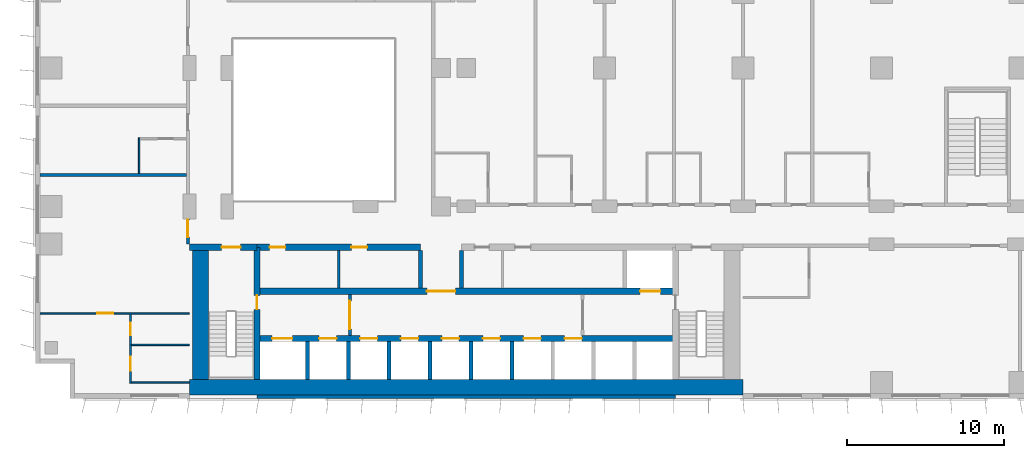
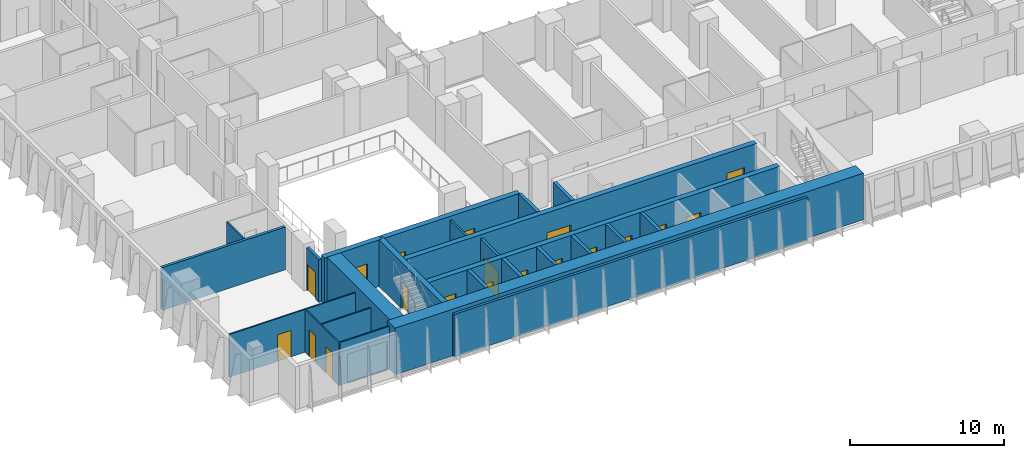
# One storey, part 12 of 24: 25 walls, 19 doors, 19 openings.
"""IFC4 building model written with IfcOpenShell, lengths in metres."""

from ifc_helpers import new_model, si_unit, direction, frame, frame_2d, origin, place, context, subcontext, project, spatial, rectangle, extrude, material, layer, layer_set, type_object, element, fill, save


model = new_model("IFC4")

# Units and contexts
model_context = context("Model", 3, precision=1e-05, world=origin(), true_north=direction((0.0, 1.0)))
body_context = subcontext(model_context, "Body", "Model", "MODEL_VIEW")
ifc_project = project(units=[si_unit("LENGTHUNIT", "METRE"), si_unit("AREAUNIT", "SQUARE_METRE"), si_unit("VOLUMEUNIT", "CUBIC_METRE"), si_unit("PLANEANGLEUNIT", "RADIAN"), si_unit("MASSUNIT", "GRAM", prefix="KILO")], contexts=[model_context])

# Site, building, storey
site_placement = place(None, origin())
site = spatial("IfcSite", under=ifc_project, at=site_placement, CompositionType="ELEMENT")
building_placement = place(site_placement, origin())
building = spatial("IfcBuilding", under=site, at=building_placement, Name="Kemantara Hotel Tower", CompositionType="ELEMENT")
storey_placement = place(building_placement, frame((0.0, 0.0, 63.60009765625)))
storey = spatial("IfcBuildingStorey", under=building, at=storey_placement, Name="L14", CompositionType="ELEMENT", Elevation=63.60009765625)

# Walls
ifc_material_1 = material(Name="Bronze anodised aluminium cladding on insulated steel stud wall", Category="steel")
ifc_layer_1 = layer(ifc_material_1, 0.199951171875)
ifc_layer_set_1 = layer_set([ifc_layer_1], Name="Bronze anodised aluminium cladding on insulated steel stud wall")
wall_type_1 = type_object("IfcWallType", Name="BRONZE METAL-CLAD EXTERNAL WALL 200", PredefinedType="STANDARD", material=ifc_layer_set_1)
wall_1_placement = place(storey_placement, frame((14.10009765625, 0.10009765625, 0.0), z_axis=(0.0, 0.0, 1.0), x_axis=(1.0, 0.0, 0.0)))
element("IfcWall", 1, at=wall_1_placement, inside=storey, type_object=wall_type_1, Name="EXTERNAL WALL L14 T1-R01-2", PredefinedType="STANDARD", context=body_context, shape_type="SweptSolid", body=[
    extrude(rectangle(XDim=26.599853515625, YDim=0.199951171875, at=frame_2d((13.2998046875, 0.0))), origin(), (0.0, 0.0, 1.0), 3.39990234375),
])
ifc_material_2 = material(Name="Concrete fc 70 MPa", Category="concrete")
ifc_layer_2 = layer(ifc_material_2, 1.0)
ifc_layer_set_2 = layer_set([ifc_layer_2], Name="Concrete fc 70 MPa")
wall_type_2 = type_object("IfcWallType", Name="CORE WALL 1000 FC70", PredefinedType="SHEAR", material=ifc_layer_set_2)
wall_2_placement = place(storey_placement, frame((9.800048828125, 0.699951171875, 0.0), z_axis=(0.0, 0.0, 1.0), x_axis=(1.0, 0.0, 0.0)))
element("IfcWall", 2, at=wall_2_placement, inside=storey, type_object=wall_type_2, Name="CORE WALL CW-S", PredefinedType="SHEAR", context=body_context, shape_type="SweptSolid", body=[
    extrude(rectangle(XDim=35.199951171875, YDim=1.0, at=frame_2d((17.60009765625, 0.0))), origin(), (0.0, 0.0, 1.0), 3.699951171875),
])
wall_3_placement = place(storey_placement, frame((10.5, 1.199951171875, 0.0), z_axis=(0.0, 0.0, 1.0), x_axis=(0.0, 1.0, 0.0)))
element("IfcWall", 3, at=wall_3_placement, inside=storey, type_object=wall_type_2, Name="CORE WALL CW-W", PredefinedType="SHEAR", context=body_context, shape_type="SweptSolid", body=[
    extrude(rectangle(XDim=8.60009765625, YDim=1.0, at=frame_2d((4.300048828125, 0.0))), origin(), (0.0, 0.0, 1.0), 3.699951171875),
])
ifc_layer_3 = layer(ifc_material_2, 0.25)
ifc_layer_set_3 = layer_set([ifc_layer_3], Name="Concrete fc 70 MPa")
wall_type_3 = type_object("IfcWallType", Name="CORE WALL 250 FC70", PredefinedType="SHEAR", material=ifc_layer_set_3)
for number, where, z_axis, x_axis, name in (
    (4, (17.300048828125, 1.199951171875, 0.0), (0.0, 0.0, 1.0), (0.0, 1.0, 0.0), "CORE WALL CW-DS17.3"),
    (5, (19.89990234375, 1.199951171875, 0.0), (0.0, 0.0, 1.0), (0.0, 1.0, 0.0), "CORE WALL CW-DS19.9"),
    (6, (22.5, 1.199951171875, 0.0), (0.0, 0.0, 1.0), (0.0, 1.0, 0.0), "CORE WALL CW-DS22.5"),
    (7, (25.10009765625, 1.199951171875, 0.0), (0.0, 0.0, 1.0), (0.0, 1.0, 0.0), "CORE WALL CW-DS25.1"),
    (8, (27.699951171875, 1.199951171875, 0.0), (0.0, 0.0, 1.0), (0.0, 1.0, 0.0), "CORE WALL CW-DS27.7"),
    (9, (30.300048828125, 1.199951171875, 0.0), (0.0, 0.0, 1.0), (0.0, 1.0, 0.0), "CORE WALL CW-DS30.3"),
):
    element("IfcWall", number, at=place(storey_placement, frame(where, z_axis=z_axis, x_axis=x_axis)), inside=storey, type_object=wall_type_3, Name=name, PredefinedType="SHEAR", context=body_context, shape_type="SweptSolid", body=[
        extrude(rectangle(XDim=2.400146484375, YDim=0.25, at=frame_2d((1.2001953125, 0.0))), origin(), (0.0, 0.0, 1.0), 3.699951171875),
    ])
for number, where, z_axis, x_axis, name in (
    (10, (24.5, 7.0, 0.0), (0.0, 0.0, 1.0), (0.0, 1.0, 0.0), "CORE WALL CW-DN24.5"),
    (11, (27.10009765625, 7.0, 0.0), (0.0, 0.0, 1.0), (0.0, 1.0, 0.0), "CORE WALL CW-DN27.1"),
):
    element("IfcWall", number, at=place(storey_placement, frame(where, z_axis=z_axis, x_axis=x_axis)), inside=storey, type_object=wall_type_3, Name=name, PredefinedType="SHEAR", context=body_context, shape_type="SweptSolid", body=[
        extrude(rectangle(XDim=2.39990234375, YDim=0.25, at=frame_2d((1.199951171875, 0.0))), origin(), (0.0, 0.0, 1.0), 3.699951171875),
    ])

# Wall, opening, door
ifc_layer_4 = layer(ifc_material_2, 0.39990234375)
ifc_layer_set_4 = layer_set([ifc_layer_4], Name="Concrete fc 70 MPa")
wall_type_4 = type_object("IfcWallType", Name="CORE WALL 400 FC70", PredefinedType="SHEAR", material=ifc_layer_set_4)
wall_4_placement = place(storey_placement, frame((9.800048828125, 9.60009765625, 0.0), z_axis=(0.0, 0.0, 1.0), x_axis=(1.0, 0.0, 0.0)))
wall_4 = element("IfcWall", 12, at=wall_4_placement, inside=storey, type_object=wall_type_4, Name="CORE WALL CW-N1", PredefinedType="SHEAR", context=body_context, shape_type="SweptSolid", body=[
    extrude(rectangle(XDim=4.300048828125, YDim=0.39990234375, at=frame_2d((2.14990234375, 0.0))), origin(), (0.0, 0.0, 1.0), 3.699951171875),
])
opening_1_placement = place(wall_4_placement, frame((2.050048828125, 0.0, 0.0)))
opening_1 = element("IfcOpeningElement", 13, at=opening_1_placement, cuts=wall_4, Name="Opening C10-ST1-C", PredefinedType="OPENING", context=body_context, shape_type="SweptSolid", body=[
    extrude(rectangle(XDim=1.199951171875, YDim=2.10009765625, at=frame_2d((0.60009765625, 1.050048828125))), frame((0.0, 0.2099609375, 0.0), z_axis=(0.0, -1.0, 0.0), x_axis=(1.0, 0.0, 0.0)), (0.0, 0.0, 1.0), 0.419921875),
])
ifc_material_3 = material(Name="Steel fire door", Category="steel")
door_type_1 = type_object("IfcDoorType", Name="Fire door FD90 1200 x 2100", OperationType="NOTDEFINED", PredefinedType="DOOR", material=ifc_material_3)
door_1_placement = place(opening_1_placement, frame((1.199951171875, 0.0, 0.0), z_axis=(0.0, 0.0, 1.0), x_axis=(-1.0, 0.0, 0.0)))
door_1 = element("IfcDoor", 14, at=door_1_placement, inside=storey, type_object=door_type_1, Name="Stair ST1 door to corridor", OperationType="SINGLE_SWING_LEFT", OverallHeight=2.10009765625, OverallWidth=1.199951171875, PredefinedType="DOOR", context=body_context, shape_type="SweptSolid", body=[
    extrude(rectangle(XDim=1.199951171875, YDim=2.10009765625, at=frame_2d((0.60009765625, 1.050048828125))), frame((0.0, 0.02490234375, 0.0), z_axis=(0.0, -1.0, 0.0), x_axis=(1.0, 0.0, 0.0)), (0.0, 0.0, 1.0), 0.050048828125),
])
fill(opening_1, door_1)

# Wall, openings, doors
wall_5_placement = place(storey_placement, frame((14.10009765625, 9.60009765625, 0.0), z_axis=(0.0, 0.0, 1.0), x_axis=(1.0, 0.0, 0.0)))
wall_5 = element("IfcWall", 15, at=wall_5_placement, inside=storey, type_object=wall_type_4, Name="CORE WALL CW-NN1", PredefinedType="SHEAR", context=body_context, shape_type="SweptSolid", body=[
    extrude(rectangle(XDim=10.39990234375, YDim=0.39990234375, at=frame_2d((5.199951171875, 0.0))), origin(), (0.0, 0.0, 1.0), 3.699951171875),
])
opening_2_placement = place(wall_5_placement, frame((0.800048828125, 0.0, 0.0)))
opening_2 = element("IfcOpeningElement", 16, at=opening_2_placement, cuts=wall_5, Name="Opening C10-R-NW1", PredefinedType="OPENING", context=body_context, shape_type="SweptSolid", body=[
    extrude(rectangle(XDim=1.0, YDim=2.10009765625, at=frame_2d((0.5, 1.050048828125))), frame((0.0, 0.2099609375, 0.0), z_axis=(0.0, -1.0, 0.0), x_axis=(1.0, 0.0, 0.0)), (0.0, 0.0, 1.0), 0.419921875),
])
opening_3_placement = place(wall_5_placement, frame((6.0, 0.0, 0.0)))
opening_3 = element("IfcOpeningElement", 17, at=opening_3_placement, cuts=wall_5, Name="Opening C10-R-NW2", PredefinedType="OPENING", context=body_context, shape_type="SweptSolid", body=[
    extrude(rectangle(XDim=1.0, YDim=2.10009765625, at=frame_2d((0.5, 1.050048828125))), frame((0.0, 0.2099609375, 0.0), z_axis=(0.0, -1.0, 0.0), x_axis=(1.0, 0.0, 0.0)), (0.0, 0.0, 1.0), 0.419921875),
])
door_type_2 = type_object("IfcDoorType", Name="Fire door FD30S 1000 x 2100", OperationType="NOTDEFINED", PredefinedType="DOOR", material=ifc_material_3)
door_2_placement = place(opening_2_placement, frame((1.0, 0.0, 0.0), z_axis=(0.0, 0.0, 1.0), x_axis=(-1.0, 0.0, 0.0)))
door_2 = element("IfcDoor", 18, at=door_2_placement, inside=storey, type_object=door_type_2, Name="Linen Store door", OperationType="SINGLE_SWING_RIGHT", OverallHeight=2.10009765625, OverallWidth=1.0, PredefinedType="DOOR", context=body_context, shape_type="SweptSolid", body=[
    extrude(rectangle(XDim=1.0, YDim=2.10009765625, at=frame_2d((0.5, 1.050048828125))), frame((0.0, 0.02490234375, 0.0), z_axis=(0.0, -1.0, 0.0), x_axis=(1.0, 0.0, 0.0)), (0.0, 0.0, 1.0), 0.050048828125),
])
fill(opening_2, door_2)
door_3_placement = place(opening_3_placement, frame((1.0, 0.0, 0.0), z_axis=(0.0, 0.0, 1.0), x_axis=(-1.0, 0.0, 0.0)))
door_3 = element("IfcDoor", 19, at=door_3_placement, inside=storey, type_object=door_type_2, Name="Ice And Vending Room door", OperationType="SINGLE_SWING_LEFT", OverallHeight=2.10009765625, OverallWidth=1.0, PredefinedType="DOOR", context=body_context, shape_type="SweptSolid", body=[
    extrude(rectangle(XDim=1.0, YDim=2.10009765625, at=frame_2d((0.5, 1.050048828125))), frame((0.0, 0.02490234375, 0.0), z_axis=(0.0, -1.0, 0.0), x_axis=(1.0, 0.0, 0.0)), (0.0, 0.0, 1.0), 0.050048828125),
])
fill(opening_3, door_3)

wall_6_placement = place(storey_placement, frame((14.10009765625, 3.800048828125, 0.0), z_axis=(0.0, 0.0, 1.0), x_axis=(1.0, 0.0, 0.0)))
wall_6 = element("IfcWall", 20, at=wall_6_placement, inside=storey, type_object=wall_type_4, Name="CORE WALL CW-L1", PredefinedType="SHEAR", context=body_context, shape_type="SweptSolid", body=[
    extrude(rectangle(XDim=26.599853515625, YDim=0.39990234375, at=frame_2d((13.2998046875, 0.0))), origin(), (0.0, 0.0, 1.0), 3.699951171875),
])
opening_4_placement = place(wall_6_placement, frame((0.949951171875, 0.0, 0.0)))
opening_4 = element("IfcOpeningElement", 21, at=opening_4_placement, cuts=wall_6, Name="Opening C10-LD-FF1", PredefinedType="OPENING", context=body_context, shape_type="SweptSolid", body=[
    extrude(rectangle(XDim=1.300048828125, YDim=2.10009765625, at=frame_2d((0.64990234375, 1.050048828125))), frame((0.0, 0.2099609375, 0.0), z_axis=(0.0, -1.0, 0.0), x_axis=(1.0, 0.0, 0.0)), (0.0, 0.0, 1.0), 0.419921875),
])
opening_5_placement = place(wall_6_placement, frame((3.949951171875, 0.0, 0.0)))
opening_5 = element("IfcOpeningElement", 22, at=opening_5_placement, cuts=wall_6, Name="Opening C10-LD-SV1", PredefinedType="OPENING", context=body_context, shape_type="SweptSolid", body=[
    extrude(rectangle(XDim=1.10009765625, YDim=2.10009765625, at=frame_2d((0.550048828125, 1.050048828125))), frame((0.0, 0.2099609375, 0.0), z_axis=(0.0, -1.0, 0.0), x_axis=(1.0, 0.0, 0.0)), (0.0, 0.0, 1.0), 0.419921875),
])
opening_6_placement = place(wall_6_placement, frame((6.550048828125, 0.0, 0.0)))
opening_6 = element("IfcOpeningElement", 23, at=opening_6_placement, cuts=wall_6, Name="Opening C10-LD-SV2", PredefinedType="OPENING", context=body_context, shape_type="SweptSolid", body=[
    extrude(rectangle(XDim=1.10009765625, YDim=2.10009765625, at=frame_2d((0.550048828125, 1.050048828125))), frame((0.0, 0.2099609375, 0.0), z_axis=(0.0, -1.0, 0.0), x_axis=(1.0, 0.0, 0.0)), (0.0, 0.0, 1.0), 0.419921875),
])
opening_7_placement = place(wall_6_placement, frame((9.14990234375, 0.0, 0.0)))
opening_7 = element("IfcOpeningElement", 24, at=opening_7_placement, cuts=wall_6, Name="Opening C10-LD-SV3", PredefinedType="OPENING", context=body_context, shape_type="SweptSolid", body=[
    extrude(rectangle(XDim=1.10009765625, YDim=2.10009765625, at=frame_2d((0.550048828125, 1.050048828125))), frame((0.0, 0.2099609375, 0.0), z_axis=(0.0, -1.0, 0.0), x_axis=(1.0, 0.0, 0.0)), (0.0, 0.0, 1.0), 0.419921875),
])
opening_8_placement = place(wall_6_placement, frame((11.75, 0.0, 0.0)))
opening_8 = element("IfcOpeningElement", 25, at=opening_8_placement, cuts=wall_6, Name="Opening C10-LD-LR1", PredefinedType="OPENING", context=body_context, shape_type="SweptSolid", body=[
    extrude(rectangle(XDim=1.10009765625, YDim=2.10009765625, at=frame_2d((0.550048828125, 1.050048828125))), frame((0.0, 0.2099609375, 0.0), z_axis=(0.0, -1.0, 0.0), x_axis=(1.0, 0.0, 0.0)), (0.0, 0.0, 1.0), 0.419921875),
])
opening_9_placement = place(wall_6_placement, frame((14.35009765625, 0.0, 0.0)))
opening_9 = element("IfcOpeningElement", 26, at=opening_9_placement, cuts=wall_6, Name="Opening C10-LD-LR2", PredefinedType="OPENING", context=body_context, shape_type="SweptSolid", body=[
    extrude(rectangle(XDim=1.10009765625, YDim=2.10009765625, at=frame_2d((0.550048828125, 1.050048828125))), frame((0.0, 0.2099609375, 0.0), z_axis=(0.0, -1.0, 0.0), x_axis=(1.0, 0.0, 0.0)), (0.0, 0.0, 1.0), 0.419921875),
])
opening_10_placement = place(wall_6_placement, frame((16.949951171875, 0.0, 0.0)))
opening_10 = element("IfcOpeningElement", 27, at=opening_10_placement, cuts=wall_6, Name="Opening C10-LD-LR3", PredefinedType="OPENING", context=body_context, shape_type="SweptSolid", body=[
    extrude(rectangle(XDim=1.10009765625, YDim=2.10009765625, at=frame_2d((0.550048828125, 1.050048828125))), frame((0.0, 0.2099609375, 0.0), z_axis=(0.0, -1.0, 0.0), x_axis=(1.0, 0.0, 0.0)), (0.0, 0.0, 1.0), 0.419921875),
])
opening_11_placement = place(wall_6_placement, frame((19.550048828125, 0.0, 0.0)))
opening_11 = element("IfcOpeningElement", 28, at=opening_11_placement, cuts=wall_6, Name="Opening C10-LD-LR4", PredefinedType="OPENING", context=body_context, shape_type="SweptSolid", body=[
    extrude(rectangle(XDim=1.10009765625, YDim=2.10009765625, at=frame_2d((0.550048828125, 1.050048828125))), frame((0.0, 0.2099609375, 0.0), z_axis=(0.0, -1.0, 0.0), x_axis=(1.0, 0.0, 0.0)), (0.0, 0.0, 1.0), 0.419921875),
])
ifc_material_4 = material(Name="Stainless steel lift door", Category="steel")
door_type_3 = type_object("IfcDoorType", Name="Lift landing door 1100 x 2100 FD60", OperationType="DOUBLE_DOOR_SLIDING", PredefinedType="DOOR", material=ifc_material_4)
door_4_placement = place(opening_5_placement, origin())
door_4 = element("IfcDoor", 29, at=door_4_placement, inside=storey, type_object=door_type_3, Name="Lift SV1 landing door", OperationType="DOUBLE_DOOR_SLIDING", OverallHeight=2.10009765625, OverallWidth=1.10009765625, PredefinedType="DOOR", context=body_context, shape_type="SweptSolid", body=[
    extrude(rectangle(XDim=1.10009765625, YDim=2.10009765625, at=frame_2d((0.550048828125, 1.050048828125))), frame((0.0, 0.02490234375, 0.0), z_axis=(0.0, -1.0, 0.0), x_axis=(1.0, 0.0, 0.0)), (0.0, 0.0, 1.0), 0.050048828125),
])
fill(opening_5, door_4)
door_5_placement = place(opening_6_placement, origin())
door_5 = element("IfcDoor", 30, at=door_5_placement, inside=storey, type_object=door_type_3, Name="Lift SV2 landing door", OperationType="DOUBLE_DOOR_SLIDING", OverallHeight=2.10009765625, OverallWidth=1.10009765625, PredefinedType="DOOR", context=body_context, shape_type="SweptSolid", body=[
    extrude(rectangle(XDim=1.10009765625, YDim=2.10009765625, at=frame_2d((0.550048828125, 1.050048828125))), frame((0.0, 0.02490234375, 0.0), z_axis=(0.0, -1.0, 0.0), x_axis=(1.0, 0.0, 0.0)), (0.0, 0.0, 1.0), 0.050048828125),
])
fill(opening_6, door_5)
door_6_placement = place(opening_7_placement, origin())
door_6 = element("IfcDoor", 31, at=door_6_placement, inside=storey, type_object=door_type_3, Name="Lift SV3 landing door", OperationType="DOUBLE_DOOR_SLIDING", OverallHeight=2.10009765625, OverallWidth=1.10009765625, PredefinedType="DOOR", context=body_context, shape_type="SweptSolid", body=[
    extrude(rectangle(XDim=1.10009765625, YDim=2.10009765625, at=frame_2d((0.550048828125, 1.050048828125))), frame((0.0, 0.02490234375, 0.0), z_axis=(0.0, -1.0, 0.0), x_axis=(1.0, 0.0, 0.0)), (0.0, 0.0, 1.0), 0.050048828125),
])
fill(opening_7, door_6)
door_7_placement = place(opening_8_placement, origin())
door_7 = element("IfcDoor", 32, at=door_7_placement, inside=storey, type_object=door_type_3, Name="Lift LR1 landing door", OperationType="DOUBLE_DOOR_SLIDING", OverallHeight=2.10009765625, OverallWidth=1.10009765625, PredefinedType="DOOR", context=body_context, shape_type="SweptSolid", body=[
    extrude(rectangle(XDim=1.10009765625, YDim=2.10009765625, at=frame_2d((0.550048828125, 1.050048828125))), frame((0.0, 0.02490234375, 0.0), z_axis=(0.0, -1.0, 0.0), x_axis=(1.0, 0.0, 0.0)), (0.0, 0.0, 1.0), 0.050048828125),
])
fill(opening_8, door_7)
door_8_placement = place(opening_9_placement, origin())
door_8 = element("IfcDoor", 33, at=door_8_placement, inside=storey, type_object=door_type_3, Name="Lift LR2 landing door", OperationType="DOUBLE_DOOR_SLIDING", OverallHeight=2.10009765625, OverallWidth=1.10009765625, PredefinedType="DOOR", context=body_context, shape_type="SweptSolid", body=[
    extrude(rectangle(XDim=1.10009765625, YDim=2.10009765625, at=frame_2d((0.550048828125, 1.050048828125))), frame((0.0, 0.02490234375, 0.0), z_axis=(0.0, -1.0, 0.0), x_axis=(1.0, 0.0, 0.0)), (0.0, 0.0, 1.0), 0.050048828125),
])
fill(opening_9, door_8)
door_9_placement = place(opening_10_placement, origin())
door_9 = element("IfcDoor", 34, at=door_9_placement, inside=storey, type_object=door_type_3, Name="Lift LR3 landing door", OperationType="DOUBLE_DOOR_SLIDING", OverallHeight=2.10009765625, OverallWidth=1.10009765625, PredefinedType="DOOR", context=body_context, shape_type="SweptSolid", body=[
    extrude(rectangle(XDim=1.10009765625, YDim=2.10009765625, at=frame_2d((0.550048828125, 1.050048828125))), frame((0.0, 0.02490234375, 0.0), z_axis=(0.0, -1.0, 0.0), x_axis=(1.0, 0.0, 0.0)), (0.0, 0.0, 1.0), 0.050048828125),
])
fill(opening_10, door_9)
door_10_placement = place(opening_11_placement, origin())
door_10 = element("IfcDoor", 35, at=door_10_placement, inside=storey, type_object=door_type_3, Name="Lift LR4 landing door", OperationType="DOUBLE_DOOR_SLIDING", OverallHeight=2.10009765625, OverallWidth=1.10009765625, PredefinedType="DOOR", context=body_context, shape_type="SweptSolid", body=[
    extrude(rectangle(XDim=1.10009765625, YDim=2.10009765625, at=frame_2d((0.550048828125, 1.050048828125))), frame((0.0, 0.02490234375, 0.0), z_axis=(0.0, -1.0, 0.0), x_axis=(1.0, 0.0, 0.0)), (0.0, 0.0, 1.0), 0.050048828125),
])
fill(opening_11, door_10)
door_type_4 = type_object("IfcDoorType", Name="Lift landing door 1300 x 2100 FD90", OperationType="DOUBLE_DOOR_SLIDING", PredefinedType="DOOR", material=ifc_material_4)
door_11_placement = place(opening_4_placement, origin())
door_11 = element("IfcDoor", 36, at=door_11_placement, inside=storey, type_object=door_type_4, Name="Lift FF1 landing door", OperationType="DOUBLE_DOOR_SLIDING", OverallHeight=2.10009765625, OverallWidth=1.300048828125, PredefinedType="DOOR", context=body_context, shape_type="SweptSolid", body=[
    extrude(rectangle(XDim=1.300048828125, YDim=2.10009765625, at=frame_2d((0.64990234375, 1.050048828125))), frame((0.0, 0.02490234375, 0.0), z_axis=(0.0, -1.0, 0.0), x_axis=(1.0, 0.0, 0.0)), (0.0, 0.0, 1.0), 0.050048828125),
])
fill(opening_4, door_11)

wall_7_placement = place(storey_placement, frame((14.10009765625, 6.800048828125, 0.0), z_axis=(0.0, 0.0, 1.0), x_axis=(1.0, 0.0, 0.0)))
wall_7 = element("IfcWall", 37, at=wall_7_placement, inside=storey, type_object=wall_type_4, Name="CORE WALL CW-L2", PredefinedType="SHEAR", context=body_context, shape_type="SweptSolid", body=[
    extrude(rectangle(XDim=26.599853515625, YDim=0.39990234375, at=frame_2d((13.2998046875, 0.0))), origin(), (0.0, 0.0, 1.0), 3.699951171875),
])
opening_12_placement = place(wall_7_placement, frame((10.800048828125, 0.0, 0.0)))
opening_12 = element("IfcOpeningElement", 38, at=opening_12_placement, cuts=wall_7, Name="Opening C10-VL", PredefinedType="OPENING", context=body_context, shape_type="SweptSolid", body=[
    extrude(rectangle(XDim=1.800048828125, YDim=2.10009765625, at=frame_2d((0.89990234375, 1.050048828125))), frame((0.0, 0.2099609375, 0.0), z_axis=(0.0, -1.0, 0.0), x_axis=(1.0, 0.0, 0.0)), (0.0, 0.0, 1.0), 0.419921875),
])
opening_13_placement = place(wall_7_placement, frame((24.35009765625, 0.0, 0.0)))
opening_13 = element("IfcOpeningElement", 39, at=opening_13_placement, cuts=wall_7, Name="Opening C10-LD-FF2", PredefinedType="OPENING", context=body_context, shape_type="SweptSolid", body=[
    extrude(rectangle(XDim=1.300048828125, YDim=2.10009765625, at=frame_2d((0.64990234375, 1.050048828125))), frame((0.0, 0.2099609375, 0.0), z_axis=(0.0, -1.0, 0.0), x_axis=(1.0, 0.0, 0.0)), (0.0, 0.0, 1.0), 0.419921875),
])
door_type_5 = type_object("IfcDoorType", Name="Fire door pair FD60 1800 x 2100", OperationType="DOUBLE_DOOR_SINGLE_SWING", PredefinedType="DOOR", material=ifc_material_3)
door_12_placement = place(opening_12_placement, frame((1.800048828125, 0.0, 0.0), z_axis=(0.0, 0.0, 1.0), x_axis=(-1.0, 0.0, 0.0)))
door_12 = element("IfcDoor", 40, at=door_12_placement, inside=storey, type_object=door_type_5, Name="Lift lobby entry door", OperationType="DOUBLE_DOOR_SINGLE_SWING", OverallHeight=2.10009765625, OverallWidth=1.800048828125, PredefinedType="DOOR", context=body_context, shape_type="SweptSolid", body=[
    extrude(rectangle(XDim=1.800048828125, YDim=2.10009765625, at=frame_2d((0.89990234375, 1.050048828125))), frame((0.0, 0.02490234375, 0.0), z_axis=(0.0, -1.0, 0.0), x_axis=(1.0, 0.0, 0.0)), (0.0, 0.0, 1.0), 0.050048828125),
])
fill(opening_12, door_12)
door_13_placement = place(opening_13_placement, origin())
door_13 = element("IfcDoor", 41, at=door_13_placement, inside=storey, type_object=door_type_4, Name="Lift FF2 landing door", OperationType="DOUBLE_DOOR_SLIDING", OverallHeight=2.10009765625, OverallWidth=1.300048828125, PredefinedType="DOOR", context=body_context, shape_type="SweptSolid", body=[
    extrude(rectangle(XDim=1.300048828125, YDim=2.10009765625, at=frame_2d((0.64990234375, 1.050048828125))), frame((0.0, 0.02490234375, 0.0), z_axis=(0.0, -1.0, 0.0), x_axis=(1.0, 0.0, 0.0)), (0.0, 0.0, 1.0), 0.050048828125),
])
fill(opening_13, door_13)

# Wall, opening, door
wall_8_placement = place(storey_placement, frame((14.10009765625, 1.199951171875, 0.0), z_axis=(0.0, 0.0, 1.0), x_axis=(0.0, 1.0, 0.0)))
wall_8 = element("IfcWall", 42, at=wall_8_placement, inside=storey, type_object=wall_type_4, Name="CORE WALL CW-ST1E", PredefinedType="SHEAR", context=body_context, shape_type="SweptSolid", body=[
    extrude(rectangle(XDim=8.400146484375, YDim=0.39990234375, at=frame_2d((4.2001953125, 0.0))), origin(), (0.0, 0.0, 1.0), 3.699951171875),
])
opening_14_placement = place(wall_8_placement, frame((4.449951171875, 0.0, 0.0)))
opening_14 = element("IfcOpeningElement", 43, at=opening_14_placement, cuts=wall_8, Name="Opening C10-ST1-F", PredefinedType="OPENING", context=body_context, shape_type="SweptSolid", body=[
    extrude(rectangle(XDim=0.89990234375, YDim=2.10009765625, at=frame_2d((0.449951171875, 1.050048828125))), frame((0.0, 0.2099609375, 0.0), z_axis=(0.0, -1.0, 0.0), x_axis=(1.0, 0.0, 0.0)), (0.0, 0.0, 1.0), 0.419921875),
])
door_type_6 = type_object("IfcDoorType", Name="Fire door FD90 900 x 2100", OperationType="NOTDEFINED", PredefinedType="DOOR", material=ifc_material_3)
door_14_placement = place(opening_14_placement, origin())
door_14 = element("IfcDoor", 44, at=door_14_placement, inside=storey, type_object=door_type_6, Name="Stair ST1 door to firefighting lobby", OperationType="SINGLE_SWING_RIGHT", OverallHeight=2.10009765625, OverallWidth=0.89990234375, PredefinedType="DOOR", context=body_context, shape_type="SweptSolid", body=[
    extrude(rectangle(XDim=0.89990234375, YDim=2.10009765625, at=frame_2d((0.449951171875, 1.050048828125))), frame((0.0, 0.02490234375, 0.0), z_axis=(0.0, -1.0, 0.0), x_axis=(1.0, 0.0, 0.0)), (0.0, 0.0, 1.0), 0.050048828125),
])
fill(opening_14, door_14)

ifc_material_5 = material(Name="Gypsum board partition, steel studs and mineral wool, 200 mm", Category="steel")
ifc_layer_5 = layer(ifc_material_5, 0.199951171875)
ifc_layer_set_5 = layer_set([ifc_layer_5], Name="Gypsum board partition, steel studs and mineral wool, 200 mm")
wall_type_5 = type_object("IfcWallType", Name="CORRIDOR WALL 200", PredefinedType="PARTITIONING", material=ifc_layer_set_5)
wall_9_placement = place(storey_placement, frame((9.699951171875, 9.800048828125, 0.0), z_axis=(0.0, 0.0, 1.0), x_axis=(0.0, 1.0, 0.0)))
wall_9 = element("IfcWall", 45, at=wall_9_placement, inside=storey, type_object=wall_type_5, Name="CORRIDOR WALL 200 026", PredefinedType="PARTITIONING", context=body_context, shape_type="SweptSolid", body=[
    extrude(rectangle(XDim=1.599853515625, YDim=0.199951171875, at=frame_2d((0.7998046875, 0.0))), origin(), (0.0, 0.0, 1.0), 3.39990234375),
])
opening_15_placement = place(wall_9_placement, frame((0.449951171875, 0.0, 0.0)))
opening_15 = element("IfcOpeningElement", 46, at=opening_15_placement, cuts=wall_9, Name="Opening F05-027", PredefinedType="OPENING", context=body_context, shape_type="SweptSolid", body=[
    extrude(rectangle(XDim=1.10009765625, YDim=2.10009765625, at=frame_2d((0.550048828125, 1.050048828125))), frame((0.0, 0.10986328125, 0.0), z_axis=(0.0, -1.0, 0.0), x_axis=(1.0, 0.0, 0.0)), (0.0, 0.0, 1.0), 0.219970703125),
])
ifc_material_6 = material(Name="Hardwood veneer door leaf with steel frame", Category="steel")
door_type_7 = type_object("IfcDoorType", Name="SUITE ENTRANCE DOOR 1100 X 2100 FD30S", OperationType="NOTDEFINED", PredefinedType="DOOR", material=ifc_material_6)
door_15_placement = place(opening_15_placement, origin())
door_15 = element("IfcDoor", 47, at=door_15_placement, inside=storey, type_object=door_type_7, Name="SUITE ENTRANCE DOOR F05-027", OperationType="SINGLE_SWING_RIGHT", OverallHeight=2.10009765625, OverallWidth=1.10009765625, PredefinedType="DOOR", context=body_context, shape_type="SweptSolid", body=[
    extrude(rectangle(XDim=1.10009765625, YDim=2.10009765625, at=frame_2d((0.550048828125, 1.050048828125))), frame((0.0, 0.02490234375, 0.0), z_axis=(0.0, -1.0, 0.0), x_axis=(1.0, 0.0, 0.0)), (0.0, 0.0, 1.0), 0.050048828125),
])
fill(opening_15, door_15)

# Walls
ifc_layer_6 = layer(ifc_material_5, 0.199951171875)
ifc_layer_set_6 = layer_set([ifc_layer_6], Name="Gypsum board partition, steel studs and mineral wool, 200 mm")
wall_type_6 = type_object("IfcWallType", Name="GUEST ROOM PARTY WALL 200", PredefinedType="PARTITIONING", material=ifc_layer_set_6)
wall_10_placement = place(storey_placement, frame((0.31005859375, 14.199951171875, 0.0), z_axis=(0.0, 0.0, 1.0), x_axis=(1.0, 0.0, 0.0)))
element("IfcWall", 48, at=wall_10_placement, inside=storey, type_object=wall_type_6, Name="GUEST ROOM PARTY WALL 200 035", PredefinedType="PARTITIONING", context=body_context, shape_type="SweptSolid", body=[
    extrude(rectangle(XDim=9.2900390625, YDim=0.199951171875, at=frame_2d((4.64501953125, 0.0))), origin(), (0.0, 0.0, 1.0), 3.39990234375),
])
ifc_material_7 = material(Name="Gypsum board partition")
ifc_layer_7 = layer(ifc_material_7, 0.14990234375)
ifc_layer_set_7 = layer_set([ifc_layer_7], Name="Gypsum board partition")
wall_type_7 = type_object("IfcWallType", Name="Gypsum board partition 150 mm", PredefinedType="PARTITIONING", material=ifc_layer_set_7)
wall_11_placement = place(storey_placement, frame((19.300048828125, 7.0, 0.0), z_axis=(0.0, 0.0, 1.0), x_axis=(0.0, 1.0, 0.0)))
element("IfcWall", 49, at=wall_11_placement, inside=storey, type_object=wall_type_7, Name="Core room partition", PredefinedType="PARTITIONING", context=body_context, shape_type="SweptSolid", body=[
    extrude(rectangle(XDim=2.39990234375, YDim=0.14990234375, at=frame_2d((1.199951171875, 0.0))), origin(), (0.0, 0.0, 1.0), 3.39990234375),
])

# Wall, opening, door
ifc_material_8 = material(Name="Gypsum board shaft wall")
ifc_layer_8 = layer(ifc_material_8, 0.199951171875)
ifc_layer_set_8 = layer_set([ifc_layer_8], Name="Gypsum board shaft wall")
wall_type_8 = type_object("IfcWallType", Name="Gypsum board shaft wall 200 mm", PredefinedType="PARTITIONING", material=ifc_layer_set_8)
wall_12_placement = place(storey_placement, frame((20.0, 4.0, 0.0), z_axis=(0.0, 0.0, 1.0), x_axis=(0.0, 1.0, 0.0)))
wall_12 = element("IfcWall", 50, at=wall_12_placement, inside=storey, type_object=wall_type_8, Name="Firefighting lobby partition west", PredefinedType="PARTITIONING", context=body_context, shape_type="SweptSolid", body=[
    extrude(rectangle(XDim=2.60009765625, YDim=0.199951171875, at=frame_2d((1.300048828125, 0.0))), origin(), (0.0, 0.0, 1.0), 3.39990234375),
])
opening_16_placement = place(wall_12_placement, frame((0.39990234375, 0.0, 0.0)))
opening_16 = element("IfcOpeningElement", 51, at=opening_16_placement, cuts=wall_12, Name="Opening C10-FFW", PredefinedType="OPENING", context=body_context, shape_type="SweptSolid", body=[
    extrude(rectangle(XDim=1.800048828125, YDim=2.10009765625, at=frame_2d((0.89990234375, 1.050048828125))), frame((0.0, 0.10986328125, 0.0), z_axis=(0.0, -1.0, 0.0), x_axis=(1.0, 0.0, 0.0)), (0.0, 0.0, 1.0), 0.219970703125),
])
door_16_placement = place(opening_16_placement, origin())
door_16 = element("IfcDoor", 52, at=door_16_placement, inside=storey, type_object=door_type_5, Name="Firefighting lobby door west", OperationType="DOUBLE_DOOR_SINGLE_SWING", OverallHeight=2.10009765625, OverallWidth=1.800048828125, PredefinedType="DOOR", context=body_context, shape_type="SweptSolid", body=[
    extrude(rectangle(XDim=1.800048828125, YDim=2.10009765625, at=frame_2d((0.89990234375, 1.050048828125))), frame((0.0, 0.02490234375, 0.0), z_axis=(0.0, -1.0, 0.0), x_axis=(1.0, 0.0, 0.0)), (0.0, 0.0, 1.0), 0.050048828125),
])
fill(opening_16, door_16)

# Wall, openings, doors
ifc_material_9 = material(Name="Gypsum board partition on steel studs, 100 mm", Category="steel")
ifc_layer_9 = layer(ifc_material_9, 0.10009765625)
ifc_layer_set_9 = layer_set([ifc_layer_9], Name="Gypsum board partition on steel studs, 100 mm")
wall_type_9 = type_object("IfcWallType", Name="ROOM PARTITION 100", PredefinedType="PARTITIONING", material=ifc_layer_set_9)
wall_13_placement = place(storey_placement, frame((6.050048828125, 5.35009765625, 0.0), z_axis=(0.0, 0.0, 1.0), x_axis=(0.0, -1.0, 0.0)))
wall_13 = element("IfcWall", 53, at=wall_13_placement, inside=storey, type_object=wall_type_9, Name="ROOM PARTITION 100 091", PredefinedType="PARTITIONING", context=body_context, shape_type="SweptSolid", body=[
    extrude(rectangle(XDim=4.400146484375, YDim=0.10009765625, at=frame_2d((2.2001953125, 0.0))), origin(), (0.0, 0.0, 1.0), 3.39990234375),
])
opening_17_placement = place(wall_13_placement, frame((2.699951171875, 0.0, 0.0)))
opening_17 = element("IfcOpeningElement", 54, at=opening_17_placement, cuts=wall_13, Name="Opening F05-029", PredefinedType="OPENING", context=body_context, shape_type="SweptSolid", body=[
    extrude(rectangle(XDim=0.89990234375, YDim=2.10009765625, at=frame_2d((0.449951171875, 1.050048828125))), frame((0.0, 0.06005859375, 0.0), z_axis=(0.0, -1.0, 0.0), x_axis=(1.0, 0.0, 0.0)), (0.0, 0.0, 1.0), 0.1201171875),
])
opening_18_placement = place(wall_13_placement, frame((0.550048828125, 0.0, 0.0)))
opening_18 = element("IfcOpeningElement", 55, at=opening_18_placement, cuts=wall_13, Name="Opening F05-030", PredefinedType="OPENING", context=body_context, shape_type="SweptSolid", body=[
    extrude(rectangle(XDim=0.800048828125, YDim=2.10009765625, at=frame_2d((0.39990234375, 1.050048828125))), frame((0.0, 0.06005859375, 0.0), z_axis=(0.0, -1.0, 0.0), x_axis=(1.0, 0.0, 0.0)), (0.0, 0.0, 1.0), 0.1201171875),
])
door_type_8 = type_object("IfcDoorType", Name="BATHROOM DOOR 900 X 2100", OperationType="NOTDEFINED", PredefinedType="DOOR", material=ifc_material_6)
door_17_placement = place(opening_17_placement, origin())
door_17 = element("IfcDoor", 56, at=door_17_placement, inside=storey, type_object=door_type_8, Name="BATHROOM DOOR F05-029", OperationType="SINGLE_SWING_LEFT", OverallHeight=2.10009765625, OverallWidth=0.89990234375, PredefinedType="DOOR", context=body_context, shape_type="SweptSolid", body=[
    extrude(rectangle(XDim=0.89990234375, YDim=2.10009765625, at=frame_2d((0.449951171875, 1.050048828125))), frame((0.0, 0.02490234375, 0.0), z_axis=(0.0, -1.0, 0.0), x_axis=(1.0, 0.0, 0.0)), (0.0, 0.0, 1.0), 0.050048828125),
])
fill(opening_17, door_17)
door_type_9 = type_object("IfcDoorType", Name="WARDROBE DOOR 800 X 2100", OperationType="NOTDEFINED", PredefinedType="DOOR", material=ifc_material_6)
door_18_placement = place(opening_18_placement, origin())
door_18 = element("IfcDoor", 57, at=door_18_placement, inside=storey, type_object=door_type_9, Name="WARDROBE DOOR F05-030", OperationType="SINGLE_SWING_LEFT", OverallHeight=2.10009765625, OverallWidth=0.800048828125, PredefinedType="DOOR", context=body_context, shape_type="SweptSolid", body=[
    extrude(rectangle(XDim=0.800048828125, YDim=2.10009765625, at=frame_2d((0.39990234375, 1.050048828125))), frame((0.0, 0.02490234375, 0.0), z_axis=(0.0, -1.0, 0.0), x_axis=(1.0, 0.0, 0.0)), (0.0, 0.0, 1.0), 0.050048828125),
])
fill(opening_18, door_18)

# Wall, opening, door
wall_14_placement = place(storey_placement, frame((9.7998046875, 5.39990234375, 0.0), z_axis=(0.0, 0.0, 1.0), x_axis=(-1.0, 0.0, 0.0)))
wall_14 = element("IfcWall", 58, at=wall_14_placement, inside=storey, type_object=wall_type_9, Name="ROOM PARTITION 100 093", PredefinedType="PARTITIONING", context=body_context, shape_type="SweptSolid", body=[
    extrude(rectangle(XDim=9.48974609375, YDim=0.10009765625, at=frame_2d((4.744873046875, 0.0))), origin(), (0.0, 0.0, 1.0), 3.39990234375),
])
opening_19_placement = place(wall_14_placement, frame((4.849853515625, 0.0, 0.0)))
opening_19 = element("IfcOpeningElement", 59, at=opening_19_placement, cuts=wall_14, Name="Opening F05-028", PredefinedType="OPENING", context=body_context, shape_type="SweptSolid", body=[
    extrude(rectangle(XDim=1.0, YDim=2.10009765625, at=frame_2d((0.5, 1.050048828125))), frame((0.0, 0.06005859375, 0.0), z_axis=(0.0, -1.0, 0.0), x_axis=(1.0, 0.0, 0.0)), (0.0, 0.0, 1.0), 0.1201171875),
])
door_type_10 = type_object("IfcDoorType", Name="INTERNAL DOOR 1000 X 2100", OperationType="NOTDEFINED", PredefinedType="DOOR", material=ifc_material_6)
door_19_placement = place(opening_19_placement, origin())
door_19 = element("IfcDoor", 60, at=door_19_placement, inside=storey, type_object=door_type_10, Name="INTERNAL DOOR F05-028", OperationType="SINGLE_SWING_LEFT", OverallHeight=2.10009765625, OverallWidth=1.0, PredefinedType="DOOR", context=body_context, shape_type="SweptSolid", body=[
    extrude(rectangle(XDim=1.0, YDim=2.10009765625, at=frame_2d((0.5, 1.050048828125))), frame((0.0, 0.02490234375, 0.0), z_axis=(0.0, -1.0, 0.0), x_axis=(1.0, 0.0, 0.0)), (0.0, 0.0, 1.0), 0.050048828125),
])
fill(opening_19, door_19)

# Walls
for number, where, z_axis, x_axis, name in (
    (61, (6.10009765625, 1.0, 0.0), (0.0, 0.0, 1.0), (1.0, 0.0, 0.0), "ROOM PARTITION 100 094"),
    (62, (6.10009765625, 3.39990234375, 0.0), (0.0, 0.0, 1.0), (1.0, 0.0, 0.0), "ROOM PARTITION 100 095"),
):
    element("IfcWall", number, at=place(storey_placement, frame(where, z_axis=z_axis, x_axis=x_axis)), inside=storey, type_object=wall_type_9, Name=name, PredefinedType="PARTITIONING", context=body_context, shape_type="SweptSolid", body=[
        extrude(rectangle(XDim=3.69970703125, YDim=0.10009765625, at=frame_2d((1.849853515625, 0.0))), origin(), (0.0, 0.0, 1.0), 3.39990234375),
    ])
wall_15_placement = place(storey_placement, frame((6.60009765625, 14.300048828125, 0.0), z_axis=(0.0, 0.0, 1.0), x_axis=(0.0, 1.0, 0.0)))
element("IfcWall", 63, at=wall_15_placement, inside=storey, type_object=wall_type_9, Name="ROOM PARTITION 100 096", PredefinedType="PARTITIONING", context=body_context, shape_type="SweptSolid", body=[
    extrude(rectangle(XDim=2.25, YDim=0.10009765625, at=frame_2d((1.125, 0.0))), origin(), (0.0, 0.0, 1.0), 3.39990234375),
])

save(model, "model.ifc")
